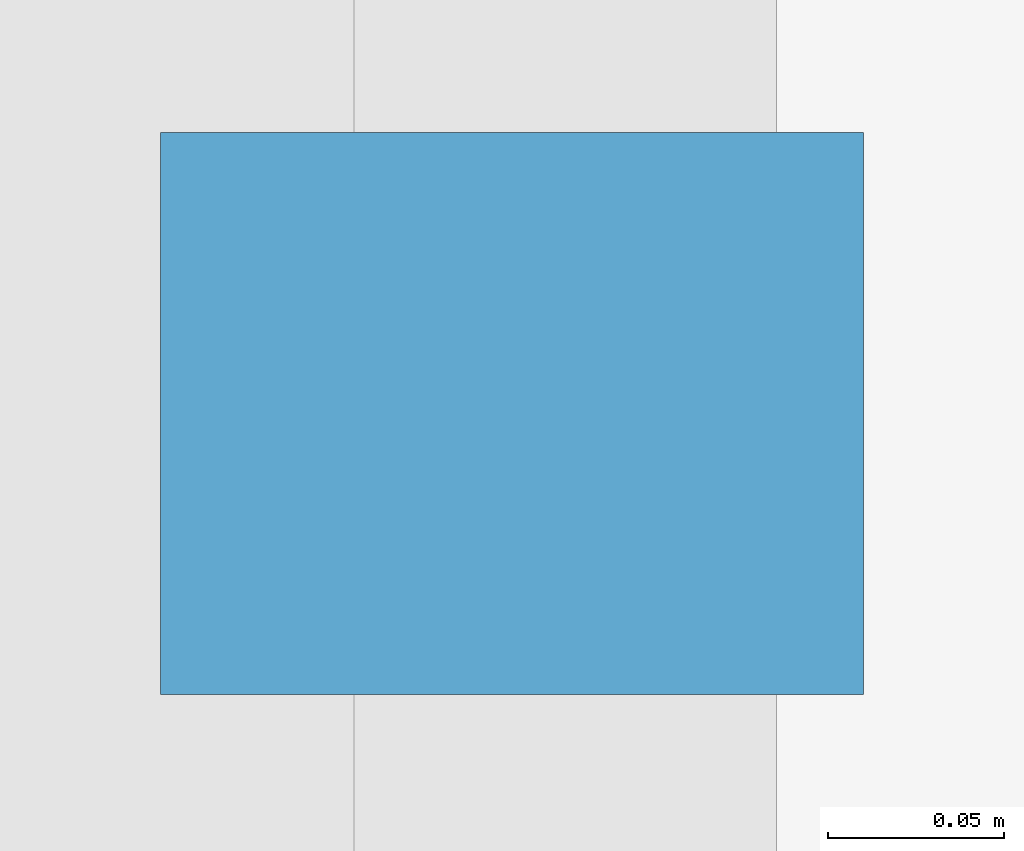
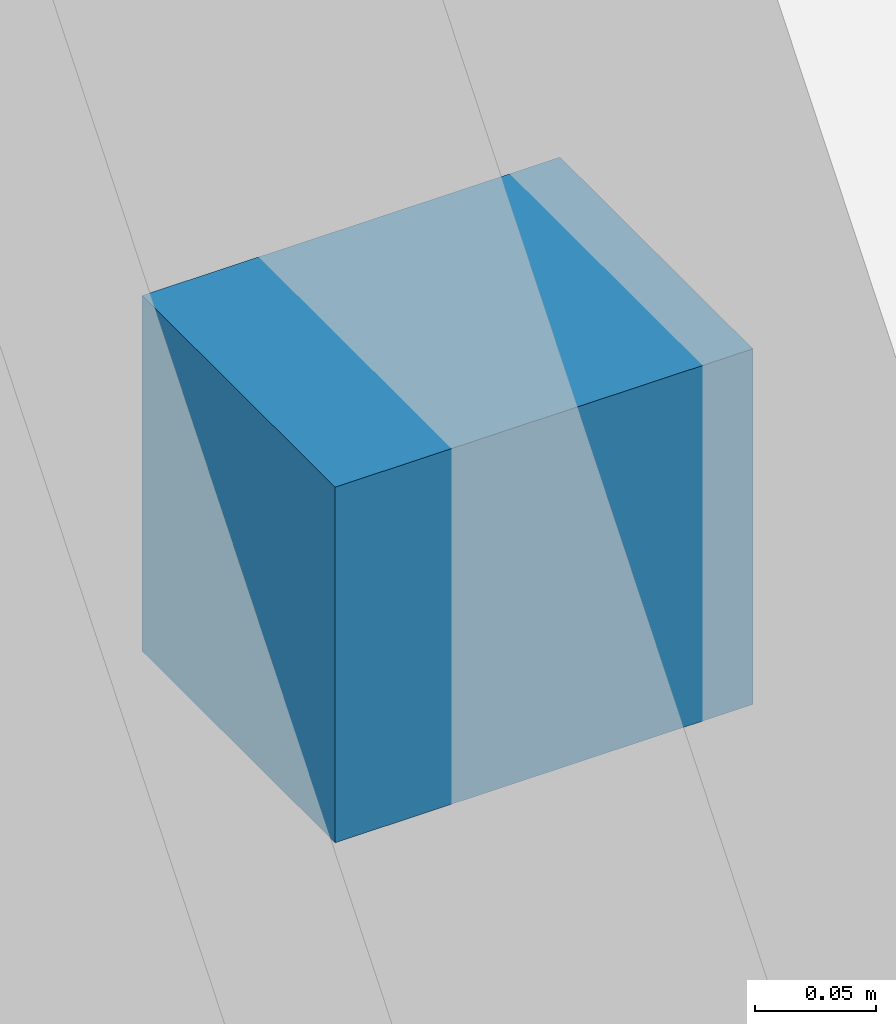
# One storey, part 16 of 20: 1 discrete accessory.
"""IFC4 building model written with IfcOpenShell, lengths in metres."""

from ifc_helpers import new_model, si_unit, direction, frame, origin, origin_2d, place, context, subcontext, project, spatial, rectangle, extrude, material, type_object, element, save


model = new_model("IFC4")

# Units and contexts
model_context = context("Model", 3, precision=1e-05, world=origin(), true_north=direction((0.0, 1.0)))
body_context = subcontext(model_context, "Body", "Model", "MODEL_VIEW")
ifc_project = project(units=[si_unit("LENGTHUNIT", "METRE"), si_unit("AREAUNIT", "SQUARE_METRE"), si_unit("VOLUMEUNIT", "CUBIC_METRE"), si_unit("PLANEANGLEUNIT", "RADIAN"), si_unit("MASSUNIT", "GRAM", prefix="KILO")], contexts=[model_context])

# Site, building, storey
site_placement = place(None, origin())
site = spatial("IfcSite", under=ifc_project, at=site_placement, CompositionType="ELEMENT")
building_placement = place(site_placement, origin())
building = spatial("IfcBuilding", under=site, at=building_placement, Name="Koriwani Terraces Tower", CompositionType="ELEMENT")
storey_placement = place(building_placement, frame((0.0, 0.0, 58.60009765625)))
storey = spatial("IfcBuildingStorey", under=building, at=storey_placement, Name="L13", CompositionType="ELEMENT", Elevation=58.60009765625)

# Discrete accessory
ifc_material = material(Name="Steel ASTM A572 Grade 50", Category="steel")
discrete_accessory_type = type_object("IfcDiscreteAccessoryType", Name="BAGUETTE_STANDOFF_BRACKET", PredefinedType="BRACKET", material=ifc_material)
discrete_accessory_placement = place(storey_placement, frame((0.389892578125, 71.39990234375, 1.68505859375), z_axis=(0.0, 0.0, 1.0), x_axis=(0.0, 1.0, 0.0)))
element("IfcDiscreteAccessory", 1, at=discrete_accessory_placement, inside=storey, type_object=discrete_accessory_type, Name="L13 Terracotta Baguette Bracket (W-24)", PredefinedType="BRACKET", context=body_context, shape_type="SweptSolid", body=[
    extrude(rectangle(XDim=0.159912109375, YDim=0.199951171875, at=origin_2d()), origin(), (0.0, 0.0, 1.0), 0.179931640625),
])

save(model, "model.ifc")
